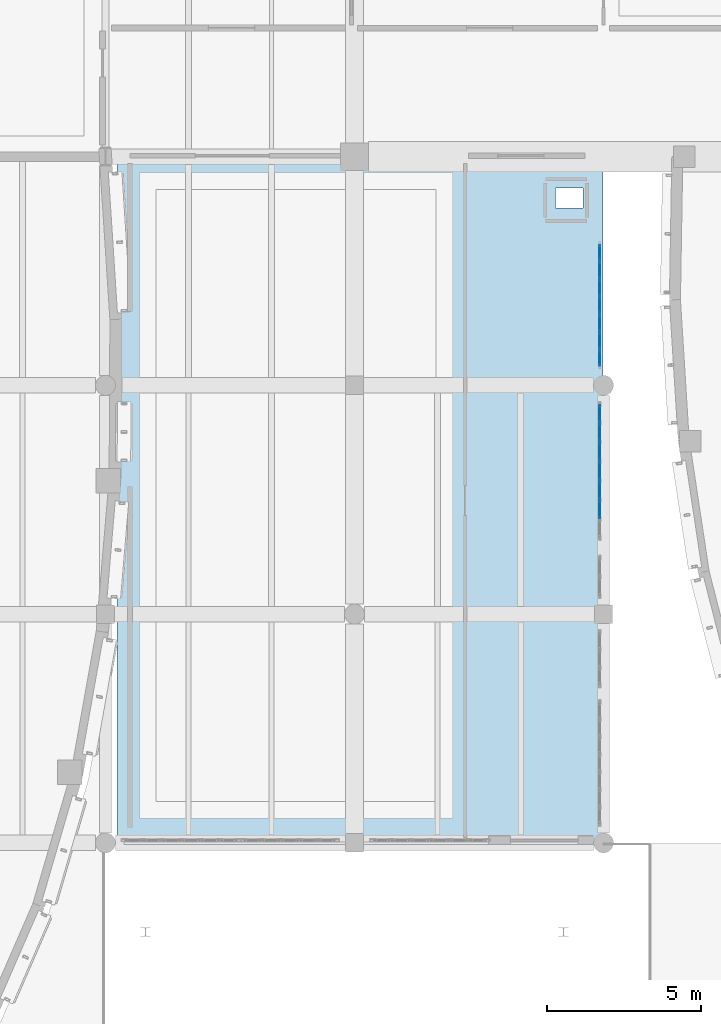
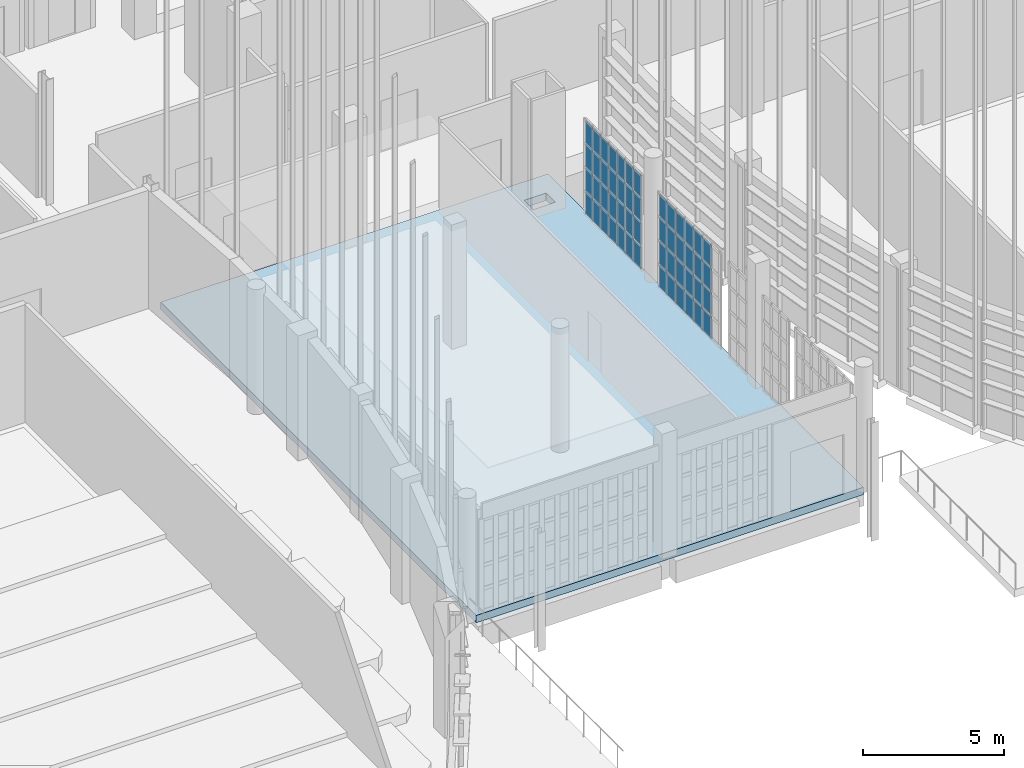
# One storey, part 331 of 372: 52 plates, 1 slab, 2 elements without a shape of their own.
"""IFC4 building model written with IfcOpenShell, lengths in metres."""

from ifc_helpers import new_model, si_unit, direction, frame, origin, origin_2d, place, context, subcontext, project, spatial, polyline, rectangle, outline, extrude, material, layer, layer_set, type_object, element, aggregate, save


model = new_model("IFC4")

# Units and contexts
model_context = context("Model", 3, precision=1e-05, world=origin(), true_north=direction((0.0, 1.0)))
body_context = subcontext(model_context, "Body", "Model", "MODEL_VIEW")
ifc_project = project(units=[si_unit("LENGTHUNIT", "METRE"), si_unit("AREAUNIT", "SQUARE_METRE"), si_unit("VOLUMEUNIT", "CUBIC_METRE"), si_unit("PLANEANGLEUNIT", "RADIAN"), si_unit("MASSUNIT", "GRAM", prefix="KILO")], contexts=[model_context])

# Site, building, storey
site_placement = place(None, origin())
site = spatial("IfcSite", under=ifc_project, at=site_placement, CompositionType="ELEMENT")
building_placement = place(site_placement, origin())
building = spatial("IfcBuilding", under=site, at=building_placement, Name="Kaelora Sail Theatre", CompositionType="ELEMENT")
storey_placement = place(building_placement, origin())
storey = spatial("IfcBuildingStorey", under=building, at=storey_placement, Name="L00", CompositionType="ELEMENT", Elevation=0.0)

# Curtain wall, plates
ifc_material_1 = material(Name="Anodised aluminium and solar-control low-E IGU", Category="aluminium")
curtain_wall_type = type_object("IfcCurtainWallType", Name="ARC-CW-CW-FOY1", PredefinedType="NOTDEFINED", material=ifc_material_1)
curtain_wall_1_placement = place(storey_placement, origin())
curtain_wall_1 = element("IfcCurtainWall", 1, at=curtain_wall_1_placement, inside=storey, type_object=curtain_wall_type, Name="West Interstitial Foyer East Glazed Return L00-03", PredefinedType="NOTDEFINED")
ifc_material_2 = material(Name="Solar-control laminated low-E glass", Category="glass")
ifc_layer_1 = layer(ifc_material_2, 0.031982421875)
ifc_layer_set_1 = layer_set([ifc_layer_1], Name="Solar-control laminated low-E glass")
plate_type = type_object("IfcPlateType", Name="ARC-CW-PNL", PredefinedType="CURTAIN_PANEL", material=ifc_layer_set_1)
plate_1_placement = place(storey_placement, frame((74.280029296875, 49.541748046875, 0.070068359375), z_axis=(0.0, 0.0, 1.0), x_axis=(0.0, 1.0, 0.0)))
plate_1 = element("IfcPlate", 2, at=plate_1_placement, type_object=plate_type, Name="CW-FOY1 panel 2.1", PredefinedType="CURTAIN_PANEL", context=body_context, shape_type="SweptSolid", body=[
    extrude(rectangle(XDim=0.56787109375, YDim=0.031982421875, at=origin_2d()), origin(), (0.0, 0.0, 1.0), 0.92919921875),
])
plate_2_placement = place(storey_placement, frame((74.280029296875, 49.541748046875, 1.069091796875), z_axis=(0.0, 0.0, 1.0), x_axis=(0.0, 1.0, 0.0)))
plate_2 = element("IfcPlate", 3, at=plate_2_placement, type_object=plate_type, Name="CW-FOY1 panel 2.2", PredefinedType="CURTAIN_PANEL", context=body_context, shape_type="SweptSolid", body=[
    extrude(rectangle(XDim=0.56787109375, YDim=0.031982421875, at=origin_2d()), origin(), (0.0, 0.0, 1.0), 0.96435546875),
])
plate_3_placement = place(storey_placement, frame((74.280029296875, 49.541748046875, 2.103515625), z_axis=(0.0, 0.0, 1.0), x_axis=(0.0, 1.0, 0.0)))
plate_3 = element("IfcPlate", 4, at=plate_3_placement, type_object=plate_type, Name="CW-FOY1 panel 2.3", PredefinedType="CURTAIN_PANEL", context=body_context, shape_type="SweptSolid", body=[
    extrude(rectangle(XDim=0.56787109375, YDim=0.031982421875, at=origin_2d()), origin(), (0.0, 0.0, 1.0), 0.964111328125),
])
plate_4_placement = place(storey_placement, frame((74.280029296875, 49.541748046875, 3.1376953125), z_axis=(0.0, 0.0, 1.0), x_axis=(0.0, 1.0, 0.0)))
plate_4 = element("IfcPlate", 5, at=plate_4_placement, type_object=plate_type, Name="CW-FOY1 panel 2.4", PredefinedType="CURTAIN_PANEL", context=body_context, shape_type="SweptSolid", body=[
    extrude(rectangle(XDim=0.56787109375, YDim=0.031982421875, at=origin_2d()), origin(), (0.0, 0.0, 1.0), 0.92919921875),
])
plate_5_placement = place(storey_placement, frame((74.280029296875, 50.169677734375, 0.070068359375), z_axis=(0.0, 0.0, 1.0), x_axis=(0.0, 1.0, 0.0)))
plate_5 = element("IfcPlate", 6, at=plate_5_placement, type_object=plate_type, Name="CW-FOY1 panel 3.1", PredefinedType="CURTAIN_PANEL", context=body_context, shape_type="SweptSolid", body=[
    extrude(rectangle(XDim=0.56787109375, YDim=0.031982421875, at=origin_2d()), origin(), (0.0, 0.0, 1.0), 0.92919921875),
])
plate_6_placement = place(storey_placement, frame((74.280029296875, 50.169677734375, 1.069091796875), z_axis=(0.0, 0.0, 1.0), x_axis=(0.0, 1.0, 0.0)))
plate_6 = element("IfcPlate", 7, at=plate_6_placement, type_object=plate_type, Name="CW-FOY1 panel 3.2", PredefinedType="CURTAIN_PANEL", context=body_context, shape_type="SweptSolid", body=[
    extrude(rectangle(XDim=0.56787109375, YDim=0.031982421875, at=origin_2d()), origin(), (0.0, 0.0, 1.0), 0.96435546875),
])
plate_7_placement = place(storey_placement, frame((74.280029296875, 50.169677734375, 2.103515625), z_axis=(0.0, 0.0, 1.0), x_axis=(0.0, 1.0, 0.0)))
plate_7 = element("IfcPlate", 8, at=plate_7_placement, type_object=plate_type, Name="CW-FOY1 panel 3.3", PredefinedType="CURTAIN_PANEL", context=body_context, shape_type="SweptSolid", body=[
    extrude(rectangle(XDim=0.56787109375, YDim=0.031982421875, at=origin_2d()), origin(), (0.0, 0.0, 1.0), 0.964111328125),
])
plate_8_placement = place(storey_placement, frame((74.280029296875, 50.169677734375, 3.1376953125), z_axis=(0.0, 0.0, 1.0), x_axis=(0.0, 1.0, 0.0)))
plate_8 = element("IfcPlate", 9, at=plate_8_placement, type_object=plate_type, Name="CW-FOY1 panel 3.4", PredefinedType="CURTAIN_PANEL", context=body_context, shape_type="SweptSolid", body=[
    extrude(rectangle(XDim=0.56787109375, YDim=0.031982421875, at=origin_2d()), origin(), (0.0, 0.0, 1.0), 0.92919921875),
])
plate_9_placement = place(storey_placement, frame((74.280029296875, 50.797607421875, 0.070068359375), z_axis=(0.0, 0.0, 1.0), x_axis=(0.0, 1.0, 0.0)))
plate_9 = element("IfcPlate", 10, at=plate_9_placement, type_object=plate_type, Name="CW-FOY1 panel 4.1", PredefinedType="CURTAIN_PANEL", context=body_context, shape_type="SweptSolid", body=[
    extrude(rectangle(XDim=0.56787109375, YDim=0.031982421875, at=origin_2d()), origin(), (0.0, 0.0, 1.0), 0.92919921875),
])
plate_10_placement = place(storey_placement, frame((74.280029296875, 50.797607421875, 1.069091796875), z_axis=(0.0, 0.0, 1.0), x_axis=(0.0, 1.0, 0.0)))
plate_10 = element("IfcPlate", 11, at=plate_10_placement, type_object=plate_type, Name="CW-FOY1 panel 4.2", PredefinedType="CURTAIN_PANEL", context=body_context, shape_type="SweptSolid", body=[
    extrude(rectangle(XDim=0.56787109375, YDim=0.031982421875, at=origin_2d()), origin(), (0.0, 0.0, 1.0), 0.96435546875),
])
plate_11_placement = place(storey_placement, frame((74.280029296875, 50.797607421875, 2.103515625), z_axis=(0.0, 0.0, 1.0), x_axis=(0.0, 1.0, 0.0)))
plate_11 = element("IfcPlate", 12, at=plate_11_placement, type_object=plate_type, Name="CW-FOY1 panel 4.3", PredefinedType="CURTAIN_PANEL", context=body_context, shape_type="SweptSolid", body=[
    extrude(rectangle(XDim=0.56787109375, YDim=0.031982421875, at=origin_2d()), origin(), (0.0, 0.0, 1.0), 0.964111328125),
])
plate_12_placement = place(storey_placement, frame((74.280029296875, 50.797607421875, 3.1376953125), z_axis=(0.0, 0.0, 1.0), x_axis=(0.0, 1.0, 0.0)))
plate_12 = element("IfcPlate", 13, at=plate_12_placement, type_object=plate_type, Name="CW-FOY1 panel 4.4", PredefinedType="CURTAIN_PANEL", context=body_context, shape_type="SweptSolid", body=[
    extrude(rectangle(XDim=0.56787109375, YDim=0.031982421875, at=origin_2d()), origin(), (0.0, 0.0, 1.0), 0.92919921875),
])
plate_13_placement = place(storey_placement, frame((74.280029296875, 51.42529296875, 0.070068359375), z_axis=(0.0, 0.0, 1.0), x_axis=(0.0, 1.0, 0.0)))
plate_13 = element("IfcPlate", 14, at=plate_13_placement, type_object=plate_type, Name="CW-FOY1 panel 5.1", PredefinedType="CURTAIN_PANEL", context=body_context, shape_type="SweptSolid", body=[
    extrude(rectangle(XDim=0.56787109375, YDim=0.031982421875, at=origin_2d()), origin(), (0.0, 0.0, 1.0), 0.92919921875),
])
plate_14_placement = place(storey_placement, frame((74.280029296875, 51.42529296875, 1.069091796875), z_axis=(0.0, 0.0, 1.0), x_axis=(0.0, 1.0, 0.0)))
plate_14 = element("IfcPlate", 15, at=plate_14_placement, type_object=plate_type, Name="CW-FOY1 panel 5.2", PredefinedType="CURTAIN_PANEL", context=body_context, shape_type="SweptSolid", body=[
    extrude(rectangle(XDim=0.56787109375, YDim=0.031982421875, at=origin_2d()), origin(), (0.0, 0.0, 1.0), 0.96435546875),
])
plate_15_placement = place(storey_placement, frame((74.280029296875, 51.42529296875, 2.103515625), z_axis=(0.0, 0.0, 1.0), x_axis=(0.0, 1.0, 0.0)))
plate_15 = element("IfcPlate", 16, at=plate_15_placement, type_object=plate_type, Name="CW-FOY1 panel 5.3", PredefinedType="CURTAIN_PANEL", context=body_context, shape_type="SweptSolid", body=[
    extrude(rectangle(XDim=0.56787109375, YDim=0.031982421875, at=origin_2d()), origin(), (0.0, 0.0, 1.0), 0.964111328125),
])
plate_16_placement = place(storey_placement, frame((74.280029296875, 51.42529296875, 3.1376953125), z_axis=(0.0, 0.0, 1.0), x_axis=(0.0, 1.0, 0.0)))
plate_16 = element("IfcPlate", 17, at=plate_16_placement, type_object=plate_type, Name="CW-FOY1 panel 5.4", PredefinedType="CURTAIN_PANEL", context=body_context, shape_type="SweptSolid", body=[
    extrude(rectangle(XDim=0.56787109375, YDim=0.031982421875, at=origin_2d()), origin(), (0.0, 0.0, 1.0), 0.92919921875),
])
plate_17_placement = place(storey_placement, frame((74.280029296875, 52.05322265625, 0.070068359375), z_axis=(0.0, 0.0, 1.0), x_axis=(0.0, 1.0, 0.0)))
plate_17 = element("IfcPlate", 18, at=plate_17_placement, type_object=plate_type, Name="CW-FOY1 panel 6.1", PredefinedType="CURTAIN_PANEL", context=body_context, shape_type="SweptSolid", body=[
    extrude(rectangle(XDim=0.56787109375, YDim=0.031982421875, at=origin_2d()), origin(), (0.0, 0.0, 1.0), 0.92919921875),
])
plate_18_placement = place(storey_placement, frame((74.280029296875, 52.05322265625, 1.069091796875), z_axis=(0.0, 0.0, 1.0), x_axis=(0.0, 1.0, 0.0)))
plate_18 = element("IfcPlate", 19, at=plate_18_placement, type_object=plate_type, Name="CW-FOY1 panel 6.2", PredefinedType="CURTAIN_PANEL", context=body_context, shape_type="SweptSolid", body=[
    extrude(rectangle(XDim=0.56787109375, YDim=0.031982421875, at=origin_2d()), origin(), (0.0, 0.0, 1.0), 0.96435546875),
])
plate_19_placement = place(storey_placement, frame((74.280029296875, 52.05322265625, 2.103515625), z_axis=(0.0, 0.0, 1.0), x_axis=(0.0, 1.0, 0.0)))
plate_19 = element("IfcPlate", 20, at=plate_19_placement, type_object=plate_type, Name="CW-FOY1 panel 6.3", PredefinedType="CURTAIN_PANEL", context=body_context, shape_type="SweptSolid", body=[
    extrude(rectangle(XDim=0.56787109375, YDim=0.031982421875, at=origin_2d()), origin(), (0.0, 0.0, 1.0), 0.964111328125),
])
plate_20_placement = place(storey_placement, frame((74.280029296875, 52.05322265625, 3.1376953125), z_axis=(0.0, 0.0, 1.0), x_axis=(0.0, 1.0, 0.0)))
plate_20 = element("IfcPlate", 21, at=plate_20_placement, type_object=plate_type, Name="CW-FOY1 panel 6.4", PredefinedType="CURTAIN_PANEL", context=body_context, shape_type="SweptSolid", body=[
    extrude(rectangle(XDim=0.56787109375, YDim=0.031982421875, at=origin_2d()), origin(), (0.0, 0.0, 1.0), 0.92919921875),
])
plate_21_placement = place(storey_placement, frame((74.280029296875, 52.666015625, 0.070068359375), z_axis=(0.0, 0.0, 1.0), x_axis=(0.0, 1.0, 0.0)))
plate_21 = element("IfcPlate", 22, at=plate_21_placement, type_object=plate_type, Name="CW-FOY1 panel 7.1", PredefinedType="CURTAIN_PANEL", context=body_context, shape_type="SweptSolid", body=[
    extrude(rectangle(XDim=0.537841796875, YDim=0.031982421875, at=origin_2d()), origin(), (0.0, 0.0, 1.0), 0.92919921875),
])
plate_22_placement = place(storey_placement, frame((74.280029296875, 52.666015625, 1.069091796875), z_axis=(0.0, 0.0, 1.0), x_axis=(0.0, 1.0, 0.0)))
plate_22 = element("IfcPlate", 23, at=plate_22_placement, type_object=plate_type, Name="CW-FOY1 panel 7.2", PredefinedType="CURTAIN_PANEL", context=body_context, shape_type="SweptSolid", body=[
    extrude(rectangle(XDim=0.537841796875, YDim=0.031982421875, at=origin_2d()), origin(), (0.0, 0.0, 1.0), 0.96435546875),
])
plate_23_placement = place(storey_placement, frame((74.280029296875, 52.666015625, 2.103515625), z_axis=(0.0, 0.0, 1.0), x_axis=(0.0, 1.0, 0.0)))
plate_23 = element("IfcPlate", 24, at=plate_23_placement, type_object=plate_type, Name="CW-FOY1 panel 7.3", PredefinedType="CURTAIN_PANEL", context=body_context, shape_type="SweptSolid", body=[
    extrude(rectangle(XDim=0.537841796875, YDim=0.031982421875, at=origin_2d()), origin(), (0.0, 0.0, 1.0), 0.964111328125),
])
plate_24_placement = place(storey_placement, frame((74.280029296875, 52.666015625, 3.1376953125), z_axis=(0.0, 0.0, 1.0), x_axis=(0.0, 1.0, 0.0)))
plate_24 = element("IfcPlate", 25, at=plate_24_placement, type_object=plate_type, Name="CW-FOY1 panel 7.4", PredefinedType="CURTAIN_PANEL", context=body_context, shape_type="SweptSolid", body=[
    extrude(rectangle(XDim=0.537841796875, YDim=0.031982421875, at=origin_2d()), origin(), (0.0, 0.0, 1.0), 0.92919921875),
])
aggregate(curtain_wall_1, [plate_1, plate_2, plate_3, plate_4, plate_5, plate_6, plate_7, plate_8, plate_9, plate_10, plate_11, plate_12, plate_13, plate_14, plate_15, plate_16, plate_17, plate_18, plate_19, plate_20, plate_21, plate_22, plate_23, plate_24])

curtain_wall_2_placement = place(storey_placement, origin())
curtain_wall_2 = element("IfcCurtainWall", 26, at=curtain_wall_2_placement, inside=storey, type_object=curtain_wall_type, Name="West Interstitial Foyer East Glazed Return L00-04", PredefinedType="NOTDEFINED")
plate_25_placement = place(storey_placement, frame((74.280029296875, 54.46826171875, 0.070068359375), z_axis=(0.0, 0.0, 1.0), x_axis=(0.0, 1.0, 0.0)))
plate_25 = element("IfcPlate", 27, at=plate_25_placement, type_object=plate_type, Name="CW-FOY1 panel 1.1", PredefinedType="CURTAIN_PANEL", context=body_context, shape_type="SweptSolid", body=[
    extrude(rectangle(XDim=0.486328125, YDim=0.031982421875, at=origin_2d()), origin(), (0.0, 0.0, 1.0), 0.92919921875),
])
plate_26_placement = place(storey_placement, frame((74.280029296875, 54.46826171875, 1.069091796875), z_axis=(0.0, 0.0, 1.0), x_axis=(0.0, 1.0, 0.0)))
plate_26 = element("IfcPlate", 28, at=plate_26_placement, type_object=plate_type, Name="CW-FOY1 panel 1.2", PredefinedType="CURTAIN_PANEL", context=body_context, shape_type="SweptSolid", body=[
    extrude(rectangle(XDim=0.486328125, YDim=0.031982421875, at=origin_2d()), origin(), (0.0, 0.0, 1.0), 0.96435546875),
])
plate_27_placement = place(storey_placement, frame((74.280029296875, 54.46826171875, 2.103515625), z_axis=(0.0, 0.0, 1.0), x_axis=(0.0, 1.0, 0.0)))
plate_27 = element("IfcPlate", 29, at=plate_27_placement, type_object=plate_type, Name="CW-FOY1 panel 1.3", PredefinedType="CURTAIN_PANEL", context=body_context, shape_type="SweptSolid", body=[
    extrude(rectangle(XDim=0.486328125, YDim=0.031982421875, at=origin_2d()), origin(), (0.0, 0.0, 1.0), 0.964111328125),
])
plate_28_placement = place(storey_placement, frame((74.280029296875, 54.46826171875, 3.1376953125), z_axis=(0.0, 0.0, 1.0), x_axis=(0.0, 1.0, 0.0)))
plate_28 = element("IfcPlate", 30, at=plate_28_placement, type_object=plate_type, Name="CW-FOY1 panel 1.4", PredefinedType="CURTAIN_PANEL", context=body_context, shape_type="SweptSolid", body=[
    extrude(rectangle(XDim=0.486328125, YDim=0.031982421875, at=origin_2d()), origin(), (0.0, 0.0, 1.0), 0.92919921875),
])
plate_29_placement = place(storey_placement, frame((74.280029296875, 55.029541015625, 0.070068359375), z_axis=(0.0, 0.0, 1.0), x_axis=(0.0, 1.0, 0.0)))
plate_29 = element("IfcPlate", 31, at=plate_29_placement, type_object=plate_type, Name="CW-FOY1 panel 2.1", PredefinedType="CURTAIN_PANEL", context=body_context, shape_type="SweptSolid", body=[
    extrude(rectangle(XDim=0.516357421875, YDim=0.031982421875, at=origin_2d()), origin(), (0.0, 0.0, 1.0), 0.92919921875),
])
plate_30_placement = place(storey_placement, frame((74.280029296875, 55.029541015625, 1.069091796875), z_axis=(0.0, 0.0, 1.0), x_axis=(0.0, 1.0, 0.0)))
plate_30 = element("IfcPlate", 32, at=plate_30_placement, type_object=plate_type, Name="CW-FOY1 panel 2.2", PredefinedType="CURTAIN_PANEL", context=body_context, shape_type="SweptSolid", body=[
    extrude(rectangle(XDim=0.516357421875, YDim=0.031982421875, at=origin_2d()), origin(), (0.0, 0.0, 1.0), 0.96435546875),
])
plate_31_placement = place(storey_placement, frame((74.280029296875, 55.029541015625, 2.103515625), z_axis=(0.0, 0.0, 1.0), x_axis=(0.0, 1.0, 0.0)))
plate_31 = element("IfcPlate", 33, at=plate_31_placement, type_object=plate_type, Name="CW-FOY1 panel 2.3", PredefinedType="CURTAIN_PANEL", context=body_context, shape_type="SweptSolid", body=[
    extrude(rectangle(XDim=0.516357421875, YDim=0.031982421875, at=origin_2d()), origin(), (0.0, 0.0, 1.0), 0.964111328125),
])
plate_32_placement = place(storey_placement, frame((74.280029296875, 55.029541015625, 3.1376953125), z_axis=(0.0, 0.0, 1.0), x_axis=(0.0, 1.0, 0.0)))
plate_32 = element("IfcPlate", 34, at=plate_32_placement, type_object=plate_type, Name="CW-FOY1 panel 2.4", PredefinedType="CURTAIN_PANEL", context=body_context, shape_type="SweptSolid", body=[
    extrude(rectangle(XDim=0.516357421875, YDim=0.031982421875, at=origin_2d()), origin(), (0.0, 0.0, 1.0), 0.92919921875),
])
plate_33_placement = place(storey_placement, frame((74.280029296875, 55.60595703125, 0.070068359375), z_axis=(0.0, 0.0, 1.0), x_axis=(0.0, 1.0, 0.0)))
plate_33 = element("IfcPlate", 35, at=plate_33_placement, type_object=plate_type, Name="CW-FOY1 panel 3.1", PredefinedType="CURTAIN_PANEL", context=body_context, shape_type="SweptSolid", body=[
    extrude(rectangle(XDim=0.516357421875, YDim=0.031982421875, at=origin_2d()), origin(), (0.0, 0.0, 1.0), 0.92919921875),
])
plate_34_placement = place(storey_placement, frame((74.280029296875, 55.60595703125, 1.069091796875), z_axis=(0.0, 0.0, 1.0), x_axis=(0.0, 1.0, 0.0)))
plate_34 = element("IfcPlate", 36, at=plate_34_placement, type_object=plate_type, Name="CW-FOY1 panel 3.2", PredefinedType="CURTAIN_PANEL", context=body_context, shape_type="SweptSolid", body=[
    extrude(rectangle(XDim=0.516357421875, YDim=0.031982421875, at=origin_2d()), origin(), (0.0, 0.0, 1.0), 0.96435546875),
])
plate_35_placement = place(storey_placement, frame((74.280029296875, 55.60595703125, 2.103515625), z_axis=(0.0, 0.0, 1.0), x_axis=(0.0, 1.0, 0.0)))
plate_35 = element("IfcPlate", 37, at=plate_35_placement, type_object=plate_type, Name="CW-FOY1 panel 3.3", PredefinedType="CURTAIN_PANEL", context=body_context, shape_type="SweptSolid", body=[
    extrude(rectangle(XDim=0.516357421875, YDim=0.031982421875, at=origin_2d()), origin(), (0.0, 0.0, 1.0), 0.964111328125),
])
plate_36_placement = place(storey_placement, frame((74.280029296875, 55.60595703125, 3.1376953125), z_axis=(0.0, 0.0, 1.0), x_axis=(0.0, 1.0, 0.0)))
plate_36 = element("IfcPlate", 38, at=plate_36_placement, type_object=plate_type, Name="CW-FOY1 panel 3.4", PredefinedType="CURTAIN_PANEL", context=body_context, shape_type="SweptSolid", body=[
    extrude(rectangle(XDim=0.516357421875, YDim=0.031982421875, at=origin_2d()), origin(), (0.0, 0.0, 1.0), 0.92919921875),
])
plate_37_placement = place(storey_placement, frame((74.280029296875, 56.1826171875, 0.070068359375), z_axis=(0.0, 0.0, 1.0), x_axis=(0.0, 1.0, 0.0)))
plate_37 = element("IfcPlate", 39, at=plate_37_placement, type_object=plate_type, Name="CW-FOY1 panel 4.1", PredefinedType="CURTAIN_PANEL", context=body_context, shape_type="SweptSolid", body=[
    extrude(rectangle(XDim=0.516357421875, YDim=0.031982421875, at=origin_2d()), origin(), (0.0, 0.0, 1.0), 0.92919921875),
])
plate_38_placement = place(storey_placement, frame((74.280029296875, 56.1826171875, 1.069091796875), z_axis=(0.0, 0.0, 1.0), x_axis=(0.0, 1.0, 0.0)))
plate_38 = element("IfcPlate", 40, at=plate_38_placement, type_object=plate_type, Name="CW-FOY1 panel 4.2", PredefinedType="CURTAIN_PANEL", context=body_context, shape_type="SweptSolid", body=[
    extrude(rectangle(XDim=0.516357421875, YDim=0.031982421875, at=origin_2d()), origin(), (0.0, 0.0, 1.0), 0.96435546875),
])
plate_39_placement = place(storey_placement, frame((74.280029296875, 56.1826171875, 2.103515625), z_axis=(0.0, 0.0, 1.0), x_axis=(0.0, 1.0, 0.0)))
plate_39 = element("IfcPlate", 41, at=plate_39_placement, type_object=plate_type, Name="CW-FOY1 panel 4.3", PredefinedType="CURTAIN_PANEL", context=body_context, shape_type="SweptSolid", body=[
    extrude(rectangle(XDim=0.516357421875, YDim=0.031982421875, at=origin_2d()), origin(), (0.0, 0.0, 1.0), 0.964111328125),
])
plate_40_placement = place(storey_placement, frame((74.280029296875, 56.1826171875, 3.1376953125), z_axis=(0.0, 0.0, 1.0), x_axis=(0.0, 1.0, 0.0)))
plate_40 = element("IfcPlate", 42, at=plate_40_placement, type_object=plate_type, Name="CW-FOY1 panel 4.4", PredefinedType="CURTAIN_PANEL", context=body_context, shape_type="SweptSolid", body=[
    extrude(rectangle(XDim=0.516357421875, YDim=0.031982421875, at=origin_2d()), origin(), (0.0, 0.0, 1.0), 0.92919921875),
])
plate_41_placement = place(storey_placement, frame((74.280029296875, 56.759033203125, 0.070068359375), z_axis=(0.0, 0.0, 1.0), x_axis=(0.0, 1.0, 0.0)))
plate_41 = element("IfcPlate", 43, at=plate_41_placement, type_object=plate_type, Name="CW-FOY1 panel 5.1", PredefinedType="CURTAIN_PANEL", context=body_context, shape_type="SweptSolid", body=[
    extrude(rectangle(XDim=0.516357421875, YDim=0.031982421875, at=origin_2d()), origin(), (0.0, 0.0, 1.0), 0.92919921875),
])
plate_42_placement = place(storey_placement, frame((74.280029296875, 56.759033203125, 1.069091796875), z_axis=(0.0, 0.0, 1.0), x_axis=(0.0, 1.0, 0.0)))
plate_42 = element("IfcPlate", 44, at=plate_42_placement, type_object=plate_type, Name="CW-FOY1 panel 5.2", PredefinedType="CURTAIN_PANEL", context=body_context, shape_type="SweptSolid", body=[
    extrude(rectangle(XDim=0.516357421875, YDim=0.031982421875, at=origin_2d()), origin(), (0.0, 0.0, 1.0), 0.96435546875),
])
plate_43_placement = place(storey_placement, frame((74.280029296875, 56.759033203125, 2.103515625), z_axis=(0.0, 0.0, 1.0), x_axis=(0.0, 1.0, 0.0)))
plate_43 = element("IfcPlate", 45, at=plate_43_placement, type_object=plate_type, Name="CW-FOY1 panel 5.3", PredefinedType="CURTAIN_PANEL", context=body_context, shape_type="SweptSolid", body=[
    extrude(rectangle(XDim=0.516357421875, YDim=0.031982421875, at=origin_2d()), origin(), (0.0, 0.0, 1.0), 0.964111328125),
])
plate_44_placement = place(storey_placement, frame((74.280029296875, 56.759033203125, 3.1376953125), z_axis=(0.0, 0.0, 1.0), x_axis=(0.0, 1.0, 0.0)))
plate_44 = element("IfcPlate", 46, at=plate_44_placement, type_object=plate_type, Name="CW-FOY1 panel 5.4", PredefinedType="CURTAIN_PANEL", context=body_context, shape_type="SweptSolid", body=[
    extrude(rectangle(XDim=0.516357421875, YDim=0.031982421875, at=origin_2d()), origin(), (0.0, 0.0, 1.0), 0.92919921875),
])
plate_45_placement = place(storey_placement, frame((74.280029296875, 57.33544921875, 0.070068359375), z_axis=(0.0, 0.0, 1.0), x_axis=(0.0, 1.0, 0.0)))
plate_45 = element("IfcPlate", 47, at=plate_45_placement, type_object=plate_type, Name="CW-FOY1 panel 6.1", PredefinedType="CURTAIN_PANEL", context=body_context, shape_type="SweptSolid", body=[
    extrude(rectangle(XDim=0.516357421875, YDim=0.031982421875, at=origin_2d()), origin(), (0.0, 0.0, 1.0), 0.92919921875),
])
plate_46_placement = place(storey_placement, frame((74.280029296875, 57.33544921875, 1.069091796875), z_axis=(0.0, 0.0, 1.0), x_axis=(0.0, 1.0, 0.0)))
plate_46 = element("IfcPlate", 48, at=plate_46_placement, type_object=plate_type, Name="CW-FOY1 panel 6.2", PredefinedType="CURTAIN_PANEL", context=body_context, shape_type="SweptSolid", body=[
    extrude(rectangle(XDim=0.516357421875, YDim=0.031982421875, at=origin_2d()), origin(), (0.0, 0.0, 1.0), 0.96435546875),
])
plate_47_placement = place(storey_placement, frame((74.280029296875, 57.33544921875, 2.103515625), z_axis=(0.0, 0.0, 1.0), x_axis=(0.0, 1.0, 0.0)))
plate_47 = element("IfcPlate", 49, at=plate_47_placement, type_object=plate_type, Name="CW-FOY1 panel 6.3", PredefinedType="CURTAIN_PANEL", context=body_context, shape_type="SweptSolid", body=[
    extrude(rectangle(XDim=0.516357421875, YDim=0.031982421875, at=origin_2d()), origin(), (0.0, 0.0, 1.0), 0.964111328125),
])
plate_48_placement = place(storey_placement, frame((74.280029296875, 57.33544921875, 3.1376953125), z_axis=(0.0, 0.0, 1.0), x_axis=(0.0, 1.0, 0.0)))
plate_48 = element("IfcPlate", 50, at=plate_48_placement, type_object=plate_type, Name="CW-FOY1 panel 6.4", PredefinedType="CURTAIN_PANEL", context=body_context, shape_type="SweptSolid", body=[
    extrude(rectangle(XDim=0.516357421875, YDim=0.031982421875, at=origin_2d()), origin(), (0.0, 0.0, 1.0), 0.92919921875),
])
plate_49_placement = place(storey_placement, frame((74.280029296875, 57.896728515625, 0.070068359375), z_axis=(0.0, 0.0, 1.0), x_axis=(0.0, 1.0, 0.0)))
plate_49 = element("IfcPlate", 51, at=plate_49_placement, type_object=plate_type, Name="CW-FOY1 panel 7.1", PredefinedType="CURTAIN_PANEL", context=body_context, shape_type="SweptSolid", body=[
    extrude(rectangle(XDim=0.486328125, YDim=0.031982421875, at=origin_2d()), origin(), (0.0, 0.0, 1.0), 0.92919921875),
])
plate_50_placement = place(storey_placement, frame((74.280029296875, 57.896728515625, 1.069091796875), z_axis=(0.0, 0.0, 1.0), x_axis=(0.0, 1.0, 0.0)))
plate_50 = element("IfcPlate", 52, at=plate_50_placement, type_object=plate_type, Name="CW-FOY1 panel 7.2", PredefinedType="CURTAIN_PANEL", context=body_context, shape_type="SweptSolid", body=[
    extrude(rectangle(XDim=0.486328125, YDim=0.031982421875, at=origin_2d()), origin(), (0.0, 0.0, 1.0), 0.96435546875),
])
plate_51_placement = place(storey_placement, frame((74.280029296875, 57.896728515625, 2.103515625), z_axis=(0.0, 0.0, 1.0), x_axis=(0.0, 1.0, 0.0)))
plate_51 = element("IfcPlate", 53, at=plate_51_placement, type_object=plate_type, Name="CW-FOY1 panel 7.3", PredefinedType="CURTAIN_PANEL", context=body_context, shape_type="SweptSolid", body=[
    extrude(rectangle(XDim=0.486328125, YDim=0.031982421875, at=origin_2d()), origin(), (0.0, 0.0, 1.0), 0.964111328125),
])
plate_52_placement = place(storey_placement, frame((74.280029296875, 57.896728515625, 3.1376953125), z_axis=(0.0, 0.0, 1.0), x_axis=(0.0, 1.0, 0.0)))
plate_52 = element("IfcPlate", 54, at=plate_52_placement, type_object=plate_type, Name="CW-FOY1 panel 7.4", PredefinedType="CURTAIN_PANEL", context=body_context, shape_type="SweptSolid", body=[
    extrude(rectangle(XDim=0.486328125, YDim=0.031982421875, at=origin_2d()), origin(), (0.0, 0.0, 1.0), 0.92919921875),
])
aggregate(curtain_wall_2, [plate_25, plate_26, plate_27, plate_28, plate_29, plate_30, plate_31, plate_32, plate_33, plate_34, plate_35, plate_36, plate_37, plate_38, plate_39, plate_40, plate_41, plate_42, plate_43, plate_44, plate_45, plate_46, plate_47, plate_48, plate_49, plate_50, plate_51, plate_52])

# Slab
ifc_material_3 = material(Name="Concrete C45/55", Category="concrete")
ifc_layer_2 = layer(ifc_material_3, 0.320068359375)
ifc_layer_set_2 = layer_set([ifc_layer_2], Name="Concrete C45/55")
slab_type = type_object("IfcSlabType", Name="STR-SLB-SL-FL320", PredefinedType="FLOOR", material=ifc_layer_set_2)
slab_placement = place(storey_placement, frame((0.0, 0.0, -0.320068359375)))
element("IfcSlab", 55, at=slab_placement, inside=storey, type_object=slab_type, Name="Glazed Foyer floor slab FI-WEST (L00)", PredefinedType="FLOOR", context=body_context, shape_type="SweptSolid", body=[
    extrude(outline(polyline([(58.580078125, 38.699951171875), (74.385009765625, 38.699951171875), (74.385009765625, 61.0048828125), (58.580078125, 61.0048828125), (58.580078125, 38.699951171875)]), holes=[polyline([(72.8349609375, 59.35498046875), (73.735107421875, 59.35498046875), (73.735107421875, 60.0048828125), (72.8349609375, 60.0048828125), (72.8349609375, 59.35498046875)])]), origin(), (0.0, 0.0, 1.0), 0.320068359375),
])

save(model, "model.ifc")
